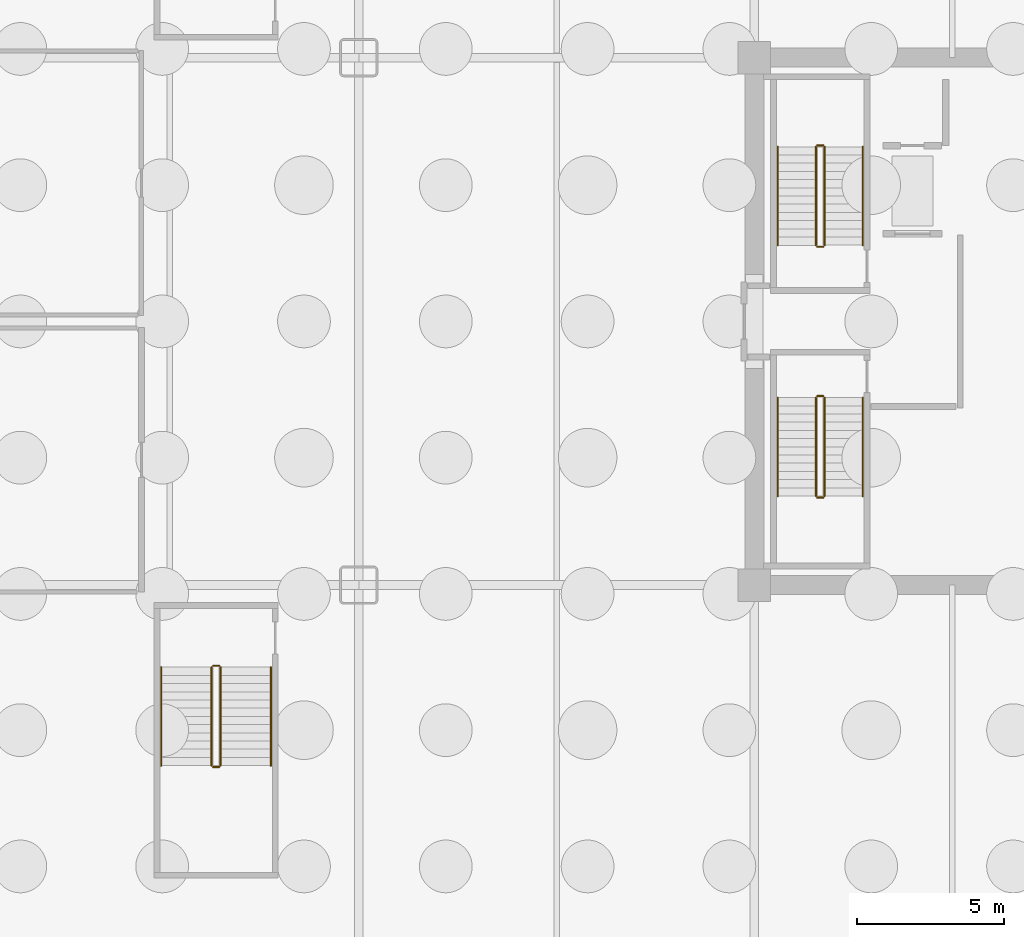
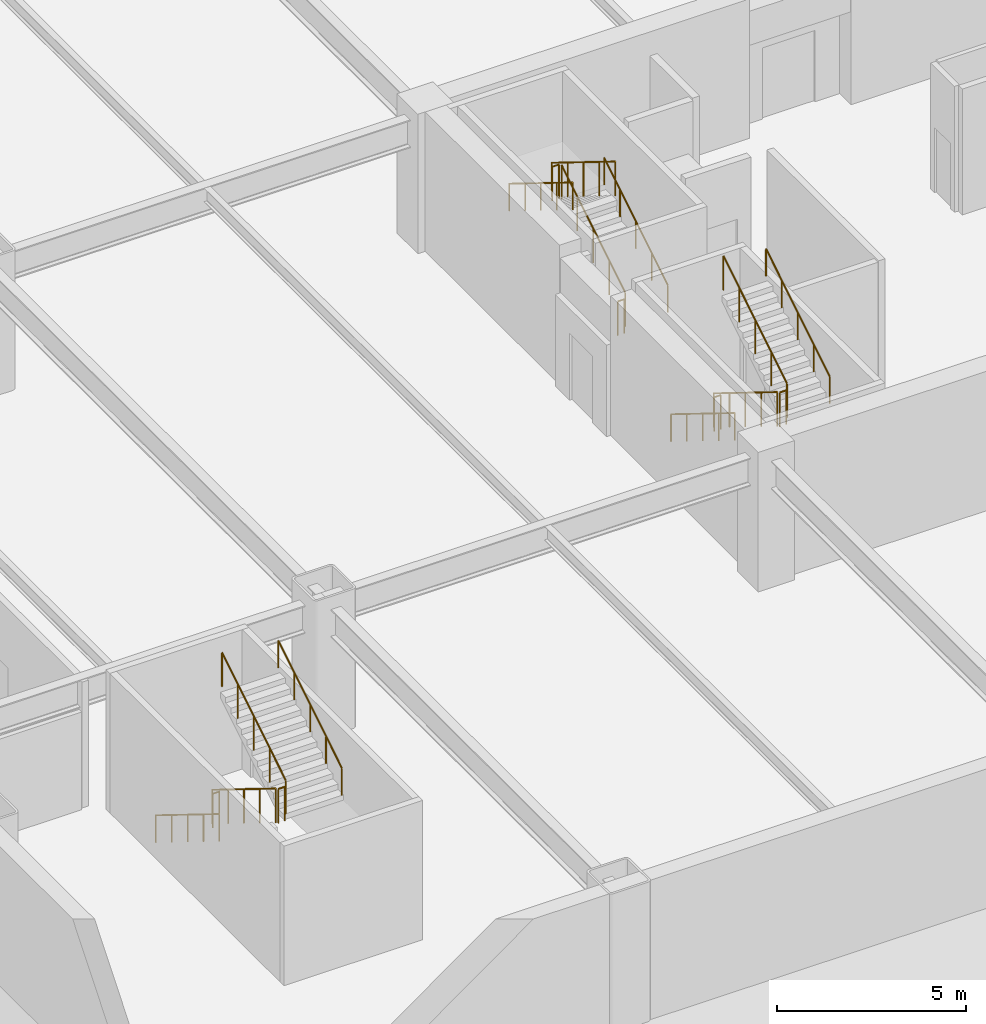
# One storey, part 7 of 11: 18 railings.
"""IFC4 building model written with IfcOpenShell, lengths in metres."""

import ifcopenshell
import ifcopenshell.guid

model = None  # the IFC model being written
_history = None  # IfcOwnerHistory: only IFC2X3 demands one
_inside = {}  # id of a spatial element -> (the spatial element, [elements in it])
_under = {}  # id of a project, library or spatial element -> (it, [spatial elements below it])
_declared = {}  # id of a project -> (the project, [libraries it declares])
_typed = {}  # id of a type object -> (the type object, [elements of that type])
_made_of = {}  # id of a material, layer set ... -> (it, [elements and type objects made of it])


def new_model(schema):
    """Start an empty IFC model of exactly this schema.

    Asked for "IFC4X3", IfcOpenShell would pick the latest addendum, in which some entities
    have other attributes; the version numbers below select the first issue.
    IFC2X3 requires an IfcOwnerHistory on every rooted entity: one is made here for all.
    """
    global model, _history
    if schema == "IFC4X3":
        model = ifcopenshell.file(schema_version=(4, 3, 0, 0))
    else:
        model = ifcopenshell.file(schema=schema)
    _inside.clear()
    _under.clear()
    _declared.clear()
    _typed.clear()
    _made_of.clear()
    _history = None
    if model.schema == "IFC2X3":
        org = make("IfcOrganization", Name="unknown")
        user = make(
            "IfcPersonAndOrganization",
            ThePerson=make("IfcPerson", FamilyName="unknown"),
            TheOrganization=org,
        )
        app = make(
            "IfcApplication",
            ApplicationDeveloper=org,
            Version="unknown",
            ApplicationFullName="unknown",
            ApplicationIdentifier="unknown",
        )
        _history = make(
            "IfcOwnerHistory",
            OwningUser=user,
            OwningApplication=app,
            ChangeAction="ADDED",
            CreationDate=0,
        )
    return model


def make(cls, **values):
    """One entity of the class cls with the attributes given. An attribute that is None is left unset."""
    return model.create_entity(
        cls, **{name: value for name, value in values.items() if value is not None}
    )


def rooted(cls, **values):
    """An entity with a GlobalId (a new one), such as an element, a storey or a relation."""
    return make(cls, GlobalId=ifcopenshell.guid.new(), OwnerHistory=_history, **values)


def si_unit(unit_type, name, prefix=None):
    """IfcSIUnit, for example si_unit("LENGTHUNIT", "METRE", prefix="MILLI")."""
    return make("IfcSIUnit", UnitType=unit_type, Prefix=prefix, Name=name)


def assignment(units):
    """IfcUnitAssignment: the units of a project."""
    return None if units is None else make("IfcUnitAssignment", Units=units)


def point(xyz):
    """IfcCartesianPoint."""
    return None if xyz is None else make("IfcCartesianPoint", Coordinates=xyz)


def direction(xyz):
    """IfcDirection."""
    return None if xyz is None else make("IfcDirection", DirectionRatios=xyz)


def frame(location, z_axis=None, x_axis=None):
    """IfcAxis2Placement3D, a coordinate frame: its origin and axes. An axis left out is left unset."""
    return make(
        "IfcAxis2Placement3D",
        Location=point(location),
        Axis=direction(z_axis),
        RefDirection=direction(x_axis),
    )


def frame_2d(location, x_axis=None):
    """IfcAxis2Placement2D, a coordinate frame in the plane: its origin and x axis."""
    return make(
        "IfcAxis2Placement2D", Location=point(location), RefDirection=direction(x_axis)
    )


def origin():
    """The frame at (0, 0, 0) with its axes left unset."""
    return frame((0.0, 0.0, 0.0))


def origin_2d():
    """The frame at (0, 0) in the plane with its x axis left unset."""
    return frame_2d((0.0, 0.0))


def place(relative_to, where):
    """IfcLocalPlacement: puts the frame where relative to a parent placement (None: the world)."""
    return make(
        "IfcLocalPlacement", PlacementRelTo=relative_to, RelativePlacement=where
    )


def context(
    kind, dimensions, precision=None, world=None, true_north=None, identifier=None
):
    """IfcGeometricRepresentationContext, for example the 3D "Model" context."""
    return make(
        "IfcGeometricRepresentationContext",
        ContextIdentifier=identifier,
        ContextType=kind,
        CoordinateSpaceDimension=dimensions,
        Precision=precision,
        WorldCoordinateSystem=world,
        TrueNorth=true_north,
    )


def subcontext(parent, identifier, kind, view, scale=None):
    """IfcGeometricRepresentationSubContext, for example "Body" below "Model"."""
    return make(
        "IfcGeometricRepresentationSubContext",
        ContextIdentifier=identifier,
        ContextType=kind,
        ParentContext=parent,
        TargetScale=scale,
        TargetView=view,
    )


def project(units=None, contexts=None):
    """IfcProject with its units and contexts."""
    return rooted(
        "IfcProject",
        Name="project",
        RepresentationContexts=contexts,
        UnitsInContext=assignment(units),
    )


def spatial(cls, under=None, at=None, **own):
    """A site, building, storey or space (cls), placed at a placement, below another one or the project."""
    s = rooted(cls, ObjectPlacement=at, **own)
    if under is not None:
        _under.setdefault(under.id(), (under, []))[1].append(s)
    return s


def profile(cls, at=None, kind="AREA", **sizes):
    """A parametric profile (cls). Its sizes go by their IFC names, for example OverallWidth=200.0."""
    return make(cls, ProfileType=kind, Position=at, **sizes)


def circle(**sizes):
    """IfcCircleProfileDef."""
    return profile("IfcCircleProfileDef", **sizes)


def extrude(swept, where, along, depth):
    """IfcExtrudedAreaSolid: the profile swept, set in the frame where, extruded along a direction by depth."""
    return make(
        "IfcExtrudedAreaSolid",
        SweptArea=swept,
        Position=where,
        ExtrudedDirection=direction(along),
        Depth=depth,
    )


def shape(context_of_items, identifier, shape_type, items):
    """IfcShapeRepresentation: the items that make up one representation, for example the "Body"."""
    return make(
        "IfcShapeRepresentation",
        ContextOfItems=context_of_items,
        RepresentationIdentifier=identifier,
        RepresentationType=shape_type,
        Items=items,
    )


def material(Name=None, Category=None):
    """IfcMaterial."""
    return make("IfcMaterial", Name=Name, Category=Category)


def made_of(thing, what):
    """Note that an element or type object is made of a material, layer set ...; save() writes the relation."""
    if what is not None:
        _made_of.setdefault(what.id(), (what, []))[1].append(thing)
    return thing


def type_object(cls, material=None, **own):
    """A type object (cls), such as IfcWallType, which elements share."""
    return made_of(rooted(cls, **own), material)


def element(
    cls,
    number,
    at=None,
    inside=None,
    cuts=None,
    type_object=None,
    material=None,
    context=None,
    identifier="Body",
    shape_type=None,
    held_by="IfcProductDefinitionShape",
    body=None,
    shapes=None,
    **own,
):
    """One element of the class cls, such as IfcWall. Its Tag is "e" and its number.

    at: its placement. inside: the storey or other place that contains it. cuts: it is an
    opening in that element (IfcRelVoidsElement). A single representation is given by context,
    identifier, shape_type and body (its items); several are given by shapes. held_by: the class
    of the entity that holds the representations. save() writes the other relations.
    """
    e = rooted(cls, Tag="e%d" % number, ObjectPlacement=at, **own)
    if body is not None:
        shapes = [shape(context, identifier, shape_type, body)]
    if shapes is not None:
        e.Representation = make(held_by, Representations=shapes)
    if inside is not None:
        _inside.setdefault(inside.id(), (inside, []))[1].append(e)
    if cuts is not None:
        rooted(
            "IfcRelVoidsElement", RelatingBuildingElement=cuts, RelatedOpeningElement=e
        )
    if type_object is not None:
        _typed.setdefault(type_object.id(), (type_object, []))[1].append(e)
    return made_of(e, material)


def aggregate(whole, parts):
    """IfcRelAggregates: a whole, such as a stair, and the parts it consists of."""
    return rooted("IfcRelAggregates", RelatingObject=whole, RelatedObjects=parts)


def save(model, path):
    """Write the relations noted so far, then the file.

    IfcRelAggregates (storeys below a building ...), IfcRelContainedInSpatialStructure (elements
    in a storey), IfcRelDefinesByType, IfcRelAssociatesMaterial and IfcRelDeclares: one each for
    every whole, place, type object, material and project.
    """
    for whole, parts in _under.values():
        aggregate(whole, parts)
    for where, things in _inside.values():
        rooted(
            "IfcRelContainedInSpatialStructure",
            RelatedElements=things,
            RelatingStructure=where,
        )
    for kind, things in _typed.values():
        rooted("IfcRelDefinesByType", RelatedObjects=things, RelatingType=kind)
    for what, things in _made_of.values():
        rooted("IfcRelAssociatesMaterial", RelatedObjects=things, RelatingMaterial=what)
    for by, libraries in _declared.values():
        rooted("IfcRelDeclares", RelatingContext=by, RelatedDefinitions=libraries)
    model.write(path)


model = new_model("IFC4")

# Units and contexts
model_context = context("Model", 3, precision=1e-05, world=origin(), true_north=direction((0.0, 1.0)))
body_context = subcontext(model_context, "Body", "Model", "MODEL_VIEW")
ifc_project = project(units=[si_unit("LENGTHUNIT", "METRE"), si_unit("AREAUNIT", "SQUARE_METRE"), si_unit("VOLUMEUNIT", "CUBIC_METRE"), si_unit("PLANEANGLEUNIT", "RADIAN"), si_unit("MASSUNIT", "GRAM", prefix="KILO")], contexts=[model_context])

# Site, building, storey
site_placement = place(None, origin())
site = spatial("IfcSite", under=ifc_project, at=site_placement, CompositionType="ELEMENT")
building_placement = place(site_placement, origin())
building = spatial("IfcBuilding", under=site, at=building_placement, Name="Nefas-Gora Pilgrimage Tower", CompositionType="ELEMENT")
storey_placement = place(building_placement, frame((0.0, 0.0, -9.0)))
storey = spatial("IfcBuildingStorey", under=building, at=storey_placement, Name="B02", CompositionType="ELEMENT", Elevation=-9.0)

# Railings
ifc_material_1 = material(Name="Painted galvanised steel", Category="steel")
railing_type_1 = type_object("IfcRailingType", Name="RLG-STR-GUARD-1100", PredefinedType="GUARDRAIL", material=ifc_material_1)
railing_1_placement = place(storey_placement, frame((-8.85009765625, 2.60009765625, 0.173095703125)))
element("IfcRailing", 1, at=railing_1_placement, inside=storey, type_object=railing_type_1, Name="B02 ST-01 stair guard 1", PredefinedType="GUARDRAIL", context=body_context, shape_type="SweptSolid", body=[
    extrude(circle(Radius=0.02392578125, at=origin_2d()), frame((0.0, 0.0, 1.09619140625), z_axis=(0.0, 0.850606129759, 0.525803396734), x_axis=(-1.0, 0.0, 0.0)), (0.0, 0.0, 1.0), 3.949951171875),
    extrude(circle(Radius=0.02099609375, at=origin_2d()), origin(), (0.0, 0.0, 1.0), 1.072021484375),
    extrude(circle(Radius=0.02099609375, at=origin_2d()), frame((0.0, 0.83984375, 0.519287109375)), (0.0, 0.0, 1.0), 1.072021484375),
    extrude(circle(Radius=0.02099609375, at=origin_2d()), frame((0.0, 1.679931640625, 1.03857421875)), (0.0, 0.0, 1.0), 1.072021484375),
    extrude(circle(Radius=0.02099609375, at=origin_2d()), frame((0.0, 2.52001953125, 1.5576171875)), (0.0, 0.0, 1.0), 1.072021484375),
    extrude(circle(Radius=0.02099609375, at=origin_2d()), frame((0.0, 3.35986328125, 2.076904296875)), (0.0, 0.0, 1.0), 1.072021484375),
])
railing_2_placement = place(storey_placement, frame((-8.89990234375, 6.010009765625, 2.25)))
element("IfcRailing", 2, at=railing_2_placement, inside=storey, type_object=railing_type_1, Name="B02 ST-01 stair guard 2", PredefinedType="GUARDRAIL", context=body_context, shape_type="SweptSolid", body=[
    extrude(circle(Radius=0.02392578125, at=origin_2d()), frame((0.0, 0.0, 1.09619140625), z_axis=(-1.0, 0.0, 0.0), x_axis=(0.0, -1.0, 0.0)), (0.0, 0.0, 1.0), 0.2001953125),
    extrude(circle(Radius=0.02099609375, at=origin_2d()), origin(), (0.0, 0.0, 1.0), 1.072021484375),
    extrude(circle(Radius=0.02099609375, at=origin_2d()), frame((-0.2001953125, 0.0, 0.0)), (0.0, 0.0, 1.0), 1.072021484375),
])
railing_3_placement = place(storey_placement, frame((-9.14990234375, 5.9599609375, 2.423095703125)))
element("IfcRailing", 3, at=railing_3_placement, inside=storey, type_object=railing_type_1, Name="B02 ST-01 stair guard 3", PredefinedType="GUARDRAIL", context=body_context, shape_type="SweptSolid", body=[
    extrude(circle(Radius=0.02392578125, at=origin_2d()), frame((0.0, 0.0, 1.09619140625), z_axis=(0.0, -0.850606129759, 0.525803396734), x_axis=(1.0, 0.0, 0.0)), (0.0, 0.0, 1.0), 3.949951171875),
    extrude(circle(Radius=0.02099609375, at=origin_2d()), origin(), (0.0, 0.0, 1.0), 1.072021484375),
    extrude(circle(Radius=0.02099609375, at=origin_2d()), frame((0.0, -0.83984375, 0.519287109375)), (0.0, 0.0, 1.0), 1.072021484375),
    extrude(circle(Radius=0.02099609375, at=origin_2d()), frame((0.0, -1.679931640625, 1.03857421875)), (0.0, 0.0, 1.0), 1.072021484375),
    extrude(circle(Radius=0.02099609375, at=origin_2d()), frame((0.0, -2.52001953125, 1.5576171875)), (0.0, 0.0, 1.0), 1.072021484375),
    extrude(circle(Radius=0.02099609375, at=origin_2d()), frame((0.0, -3.35986328125, 2.076904296875)), (0.0, 0.0, 1.0), 1.072021484375),
])
railing_4_placement = place(storey_placement, frame((-8.89990234375, 2.550048828125, 0.0)))
element("IfcRailing", 4, at=railing_4_placement, inside=storey, type_object=railing_type_1, Name="B02 ST-01 stair guard 4", PredefinedType="GUARDRAIL", context=body_context, shape_type="SweptSolid", body=[
    extrude(circle(Radius=0.02392578125, at=origin_2d()), frame((0.0, 0.0, 1.09619140625), z_axis=(-1.0, 0.0, 0.0), x_axis=(0.0, -1.0, 0.0)), (0.0, 0.0, 1.0), 0.2001953125),
    extrude(circle(Radius=0.02099609375, at=origin_2d()), origin(), (0.0, 0.0, 1.0), 1.072021484375),
    extrude(circle(Radius=0.02099609375, at=origin_2d()), frame((-0.2001953125, 0.0, 0.0)), (0.0, 0.0, 1.0), 1.072021484375),
])
railing_5_placement = place(storey_placement, frame((-9.14990234375, -2.60009765625, 0.173095703125)))
element("IfcRailing", 5, at=railing_5_placement, inside=storey, type_object=railing_type_1, Name="B02 ST-03 stair guard 1", PredefinedType="GUARDRAIL", context=body_context, shape_type="SweptSolid", body=[
    extrude(circle(Radius=0.02392578125, at=origin_2d()), frame((0.0, 0.0, 1.09619140625), z_axis=(0.0, -0.850606129759, 0.525803396734), x_axis=(1.0, 0.0, 0.0)), (0.0, 0.0, 1.0), 3.949951171875),
    extrude(circle(Radius=0.02099609375, at=origin_2d()), origin(), (0.0, 0.0, 1.0), 1.072021484375),
    extrude(circle(Radius=0.02099609375, at=origin_2d()), frame((0.0, -0.83984375, 0.519287109375)), (0.0, 0.0, 1.0), 1.072021484375),
    extrude(circle(Radius=0.02099609375, at=origin_2d()), frame((0.0, -1.679931640625, 1.03857421875)), (0.0, 0.0, 1.0), 1.072021484375),
    extrude(circle(Radius=0.02099609375, at=origin_2d()), frame((0.0, -2.52001953125, 1.5576171875)), (0.0, 0.0, 1.0), 1.072021484375),
    extrude(circle(Radius=0.02099609375, at=origin_2d()), frame((0.0, -3.35986328125, 2.076904296875)), (0.0, 0.0, 1.0), 1.072021484375),
])
railing_6_placement = place(storey_placement, frame((-9.10009765625, -6.010009765625, 2.25)))
element("IfcRailing", 6, at=railing_6_placement, inside=storey, type_object=railing_type_1, Name="B02 ST-03 stair guard 2", PredefinedType="GUARDRAIL", context=body_context, shape_type="SweptSolid", body=[
    extrude(circle(Radius=0.02392578125, at=origin_2d()), frame((0.0, 0.0, 1.09619140625), z_axis=(1.0, 0.0, 0.0), x_axis=(0.0, 1.0, 0.0)), (0.0, 0.0, 1.0), 0.2001953125),
    extrude(circle(Radius=0.02099609375, at=origin_2d()), origin(), (0.0, 0.0, 1.0), 1.072021484375),
    extrude(circle(Radius=0.02099609375, at=origin_2d()), frame((0.2001953125, 0.0, 0.0)), (0.0, 0.0, 1.0), 1.072021484375),
])
railing_7_placement = place(storey_placement, frame((-8.85009765625, -5.9599609375, 2.423095703125)))
element("IfcRailing", 7, at=railing_7_placement, inside=storey, type_object=railing_type_1, Name="B02 ST-03 stair guard 3", PredefinedType="GUARDRAIL", context=body_context, shape_type="SweptSolid", body=[
    extrude(circle(Radius=0.02392578125, at=origin_2d()), frame((0.0, 0.0, 1.09619140625), z_axis=(0.0, 0.850606129759, 0.525803396734), x_axis=(-1.0, 0.0, 0.0)), (0.0, 0.0, 1.0), 3.949951171875),
    extrude(circle(Radius=0.02099609375, at=origin_2d()), origin(), (0.0, 0.0, 1.0), 1.072021484375),
    extrude(circle(Radius=0.02099609375, at=origin_2d()), frame((0.0, 0.83984375, 0.519287109375)), (0.0, 0.0, 1.0), 1.072021484375),
    extrude(circle(Radius=0.02099609375, at=origin_2d()), frame((0.0, 1.679931640625, 1.03857421875)), (0.0, 0.0, 1.0), 1.072021484375),
    extrude(circle(Radius=0.02099609375, at=origin_2d()), frame((0.0, 2.52001953125, 1.5576171875)), (0.0, 0.0, 1.0), 1.072021484375),
    extrude(circle(Radius=0.02099609375, at=origin_2d()), frame((0.0, 3.35986328125, 2.076904296875)), (0.0, 0.0, 1.0), 1.072021484375),
])
railing_8_placement = place(storey_placement, frame((-9.10009765625, -2.550048828125, 0.0)))
element("IfcRailing", 8, at=railing_8_placement, inside=storey, type_object=railing_type_1, Name="B02 ST-03 stair guard 4", PredefinedType="GUARDRAIL", context=body_context, shape_type="SweptSolid", body=[
    extrude(circle(Radius=0.02392578125, at=origin_2d()), frame((0.0, 0.0, 1.09619140625), z_axis=(1.0, 0.0, 0.0), x_axis=(0.0, 1.0, 0.0)), (0.0, 0.0, 1.0), 0.2001953125),
    extrude(circle(Radius=0.02099609375, at=origin_2d()), origin(), (0.0, 0.0, 1.0), 1.072021484375),
    extrude(circle(Radius=0.02099609375, at=origin_2d()), frame((0.2001953125, 0.0, 0.0)), (0.0, 0.0, 1.0), 1.072021484375),
])
railing_9_placement = place(storey_placement, frame((-29.77001953125, -11.800048828125, 0.173095703125)))
element("IfcRailing", 9, at=railing_9_placement, inside=storey, type_object=railing_type_1, Name="B02 ST-05 stair guard 1", PredefinedType="GUARDRAIL", context=body_context, shape_type="SweptSolid", body=[
    extrude(circle(Radius=0.02392578125, at=origin_2d()), frame((0.0, 0.0, 1.09619140625), z_axis=(0.0, -0.850606129759, 0.525803396734), x_axis=(1.0, 0.0, 0.0)), (0.0, 0.0, 1.0), 3.949951171875),
    extrude(circle(Radius=0.02099609375, at=origin_2d()), origin(), (0.0, 0.0, 1.0), 1.072021484375),
    extrude(circle(Radius=0.02099609375, at=origin_2d()), frame((0.0, -0.83984375, 0.519287109375)), (0.0, 0.0, 1.0), 1.072021484375),
    extrude(circle(Radius=0.02099609375, at=origin_2d()), frame((0.0, -1.679931640625, 1.03857421875)), (0.0, 0.0, 1.0), 1.072021484375),
    extrude(circle(Radius=0.02099609375, at=origin_2d()), frame((0.0, -2.52001953125, 1.5576171875)), (0.0, 0.0, 1.0), 1.072021484375),
    extrude(circle(Radius=0.02099609375, at=origin_2d()), frame((0.0, -3.35986328125, 2.076904296875)), (0.0, 0.0, 1.0), 1.072021484375),
])
railing_10_placement = place(storey_placement, frame((-29.719970703125, -15.2099609375, 2.25)))
element("IfcRailing", 10, at=railing_10_placement, inside=storey, type_object=railing_type_1, Name="B02 ST-05 stair guard 2", PredefinedType="GUARDRAIL", context=body_context, shape_type="SweptSolid", body=[
    extrude(circle(Radius=0.02392578125, at=origin_2d()), frame((0.0, 0.0, 1.09619140625), z_axis=(1.0, 0.0, 0.0), x_axis=(0.0, 1.0, 0.0)), (0.0, 0.0, 1.0), 0.199951171875),
    extrude(circle(Radius=0.02099609375, at=origin_2d()), origin(), (0.0, 0.0, 1.0), 1.072021484375),
    extrude(circle(Radius=0.02099609375, at=origin_2d()), frame((0.199951171875, 0.0, 0.0)), (0.0, 0.0, 1.0), 1.072021484375),
])
railing_11_placement = place(storey_placement, frame((-29.469970703125, -15.159912109375, 2.423095703125)))
element("IfcRailing", 11, at=railing_11_placement, inside=storey, type_object=railing_type_1, Name="B02 ST-05 stair guard 3", PredefinedType="GUARDRAIL", context=body_context, shape_type="SweptSolid", body=[
    extrude(circle(Radius=0.02392578125, at=origin_2d()), frame((0.0, 0.0, 1.09619140625), z_axis=(0.0, 0.850606129759, 0.525803396734), x_axis=(-1.0, 0.0, 0.0)), (0.0, 0.0, 1.0), 3.949951171875),
    extrude(circle(Radius=0.02099609375, at=origin_2d()), origin(), (0.0, 0.0, 1.0), 1.072021484375),
    extrude(circle(Radius=0.02099609375, at=origin_2d()), frame((0.0, 0.83984375, 0.519287109375)), (0.0, 0.0, 1.0), 1.072021484375),
    extrude(circle(Radius=0.02099609375, at=origin_2d()), frame((0.0, 1.679931640625, 1.03857421875)), (0.0, 0.0, 1.0), 1.072021484375),
    extrude(circle(Radius=0.02099609375, at=origin_2d()), frame((0.0, 2.52001953125, 1.5576171875)), (0.0, 0.0, 1.0), 1.072021484375),
    extrude(circle(Radius=0.02099609375, at=origin_2d()), frame((0.0, 3.35986328125, 2.076904296875)), (0.0, 0.0, 1.0), 1.072021484375),
])
railing_12_placement = place(storey_placement, frame((-29.719970703125, -11.75, 0.0)))
element("IfcRailing", 12, at=railing_12_placement, inside=storey, type_object=railing_type_1, Name="B02 ST-05 stair guard 4", PredefinedType="GUARDRAIL", context=body_context, shape_type="SweptSolid", body=[
    extrude(circle(Radius=0.02392578125, at=origin_2d()), frame((0.0, 0.0, 1.09619140625), z_axis=(1.0, 0.0, 0.0), x_axis=(0.0, 1.0, 0.0)), (0.0, 0.0, 1.0), 0.199951171875),
    extrude(circle(Radius=0.02099609375, at=origin_2d()), origin(), (0.0, 0.0, 1.0), 1.072021484375),
    extrude(circle(Radius=0.02099609375, at=origin_2d()), frame((0.199951171875, 0.0, 0.0)), (0.0, 0.0, 1.0), 1.072021484375),
])
ifc_material_2 = material(Name="Brushed stainless steel", Category="steel")
railing_type_2 = type_object("IfcRailingType", Name="RLG-STR-HAND-900", PredefinedType="HANDRAIL", material=ifc_material_2)
railing_13_placement = place(storey_placement, frame((-7.550048828125, 2.60009765625, 0.173095703125)))
element("IfcRailing", 13, at=railing_13_placement, inside=storey, type_object=railing_type_2, Name="B02 ST-01 stair handrail 1", PredefinedType="HANDRAIL", context=body_context, shape_type="SweptSolid", body=[
    extrude(circle(Radius=0.02392578125, at=origin_2d()), frame((0.0, 0.0, 0.8759765625), z_axis=(0.0, 0.850606129759, 0.525803396734), x_axis=(-1.0, 0.0, 0.0)), (0.0, 0.0, 1.0), 3.949951171875),
    extrude(circle(Radius=0.02099609375, at=origin_2d()), origin(), (0.0, 0.0, 1.0), 0.851806640625),
    extrude(circle(Radius=0.02099609375, at=origin_2d()), frame((0.0, 0.83984375, 0.519287109375)), (0.0, 0.0, 1.0), 0.851806640625),
    extrude(circle(Radius=0.02099609375, at=origin_2d()), frame((0.0, 1.679931640625, 1.03857421875)), (0.0, 0.0, 1.0), 0.851806640625),
    extrude(circle(Radius=0.02099609375, at=origin_2d()), frame((0.0, 2.52001953125, 1.5576171875)), (0.0, 0.0, 1.0), 0.851806640625),
    extrude(circle(Radius=0.02099609375, at=origin_2d()), frame((0.0, 3.35986328125, 2.076904296875)), (0.0, 0.0, 1.0), 0.851806640625),
])
for number, where, name in (
    (14, (-10.449951171875, 5.9599609375, 2.423095703125), "B02 ST-01 stair handrail 2"),
    (15, (-10.449951171875, -2.60009765625, 0.173095703125), "B02 ST-03 stair handrail 1"),
):
    element("IfcRailing", number, at=place(storey_placement, frame(where)), inside=storey, type_object=railing_type_2, Name=name, PredefinedType="HANDRAIL", context=body_context, shape_type="SweptSolid", body=[
        extrude(circle(Radius=0.02392578125, at=origin_2d()), frame((0.0, 0.0, 0.8759765625), z_axis=(0.0, -0.850606129759, 0.525803396734), x_axis=(1.0, 0.0, 0.0)), (0.0, 0.0, 1.0), 3.949951171875),
        extrude(circle(Radius=0.02099609375, at=origin_2d()), origin(), (0.0, 0.0, 1.0), 0.851806640625),
        extrude(circle(Radius=0.02099609375, at=origin_2d()), frame((0.0, -0.83984375, 0.519287109375)), (0.0, 0.0, 1.0), 0.851806640625),
        extrude(circle(Radius=0.02099609375, at=origin_2d()), frame((0.0, -1.679931640625, 1.03857421875)), (0.0, 0.0, 1.0), 0.851806640625),
        extrude(circle(Radius=0.02099609375, at=origin_2d()), frame((0.0, -2.52001953125, 1.5576171875)), (0.0, 0.0, 1.0), 0.851806640625),
        extrude(circle(Radius=0.02099609375, at=origin_2d()), frame((0.0, -3.35986328125, 2.076904296875)), (0.0, 0.0, 1.0), 0.851806640625),
    ])
railing_14_placement = place(storey_placement, frame((-7.550048828125, -5.9599609375, 2.423095703125)))
element("IfcRailing", 16, at=railing_14_placement, inside=storey, type_object=railing_type_2, Name="B02 ST-03 stair handrail 2", PredefinedType="HANDRAIL", context=body_context, shape_type="SweptSolid", body=[
    extrude(circle(Radius=0.02392578125, at=origin_2d()), frame((0.0, 0.0, 0.8759765625), z_axis=(0.0, 0.850606129759, 0.525803396734), x_axis=(-1.0, 0.0, 0.0)), (0.0, 0.0, 1.0), 3.949951171875),
    extrude(circle(Radius=0.02099609375, at=origin_2d()), origin(), (0.0, 0.0, 1.0), 0.851806640625),
    extrude(circle(Radius=0.02099609375, at=origin_2d()), frame((0.0, 0.83984375, 0.519287109375)), (0.0, 0.0, 1.0), 0.851806640625),
    extrude(circle(Radius=0.02099609375, at=origin_2d()), frame((0.0, 1.679931640625, 1.03857421875)), (0.0, 0.0, 1.0), 0.851806640625),
    extrude(circle(Radius=0.02099609375, at=origin_2d()), frame((0.0, 2.52001953125, 1.5576171875)), (0.0, 0.0, 1.0), 0.851806640625),
    extrude(circle(Radius=0.02099609375, at=origin_2d()), frame((0.0, 3.35986328125, 2.076904296875)), (0.0, 0.0, 1.0), 0.851806640625),
])
railing_15_placement = place(storey_placement, frame((-31.489990234375, -11.800048828125, 0.173095703125)))
element("IfcRailing", 17, at=railing_15_placement, inside=storey, type_object=railing_type_2, Name="B02 ST-05 stair handrail 1", PredefinedType="HANDRAIL", context=body_context, shape_type="SweptSolid", body=[
    extrude(circle(Radius=0.02392578125, at=origin_2d()), frame((0.0, 0.0, 0.8759765625), z_axis=(0.0, -0.850606129759, 0.525803396734), x_axis=(1.0, 0.0, 0.0)), (0.0, 0.0, 1.0), 3.949951171875),
    extrude(circle(Radius=0.02099609375, at=origin_2d()), origin(), (0.0, 0.0, 1.0), 0.851806640625),
    extrude(circle(Radius=0.02099609375, at=origin_2d()), frame((0.0, -0.83984375, 0.519287109375)), (0.0, 0.0, 1.0), 0.851806640625),
    extrude(circle(Radius=0.02099609375, at=origin_2d()), frame((0.0, -1.679931640625, 1.03857421875)), (0.0, 0.0, 1.0), 0.851806640625),
    extrude(circle(Radius=0.02099609375, at=origin_2d()), frame((0.0, -2.52001953125, 1.5576171875)), (0.0, 0.0, 1.0), 0.851806640625),
    extrude(circle(Radius=0.02099609375, at=origin_2d()), frame((0.0, -3.35986328125, 2.076904296875)), (0.0, 0.0, 1.0), 0.851806640625),
])
railing_16_placement = place(storey_placement, frame((-27.75, -15.159912109375, 2.423095703125)))
element("IfcRailing", 18, at=railing_16_placement, inside=storey, type_object=railing_type_2, Name="B02 ST-05 stair handrail 2", PredefinedType="HANDRAIL", context=body_context, shape_type="SweptSolid", body=[
    extrude(circle(Radius=0.02392578125, at=origin_2d()), frame((0.0, 0.0, 0.8759765625), z_axis=(0.0, 0.850606129759, 0.525803396734), x_axis=(-1.0, 0.0, 0.0)), (0.0, 0.0, 1.0), 3.949951171875),
    extrude(circle(Radius=0.02099609375, at=origin_2d()), origin(), (0.0, 0.0, 1.0), 0.851806640625),
    extrude(circle(Radius=0.02099609375, at=origin_2d()), frame((0.0, 0.83984375, 0.519287109375)), (0.0, 0.0, 1.0), 0.851806640625),
    extrude(circle(Radius=0.02099609375, at=origin_2d()), frame((0.0, 1.679931640625, 1.03857421875)), (0.0, 0.0, 1.0), 0.851806640625),
    extrude(circle(Radius=0.02099609375, at=origin_2d()), frame((0.0, 2.52001953125, 1.5576171875)), (0.0, 0.0, 1.0), 0.851806640625),
    extrude(circle(Radius=0.02099609375, at=origin_2d()), frame((0.0, 3.35986328125, 2.076904296875)), (0.0, 0.0, 1.0), 0.851806640625),
])

save(model, "model.ifc")
